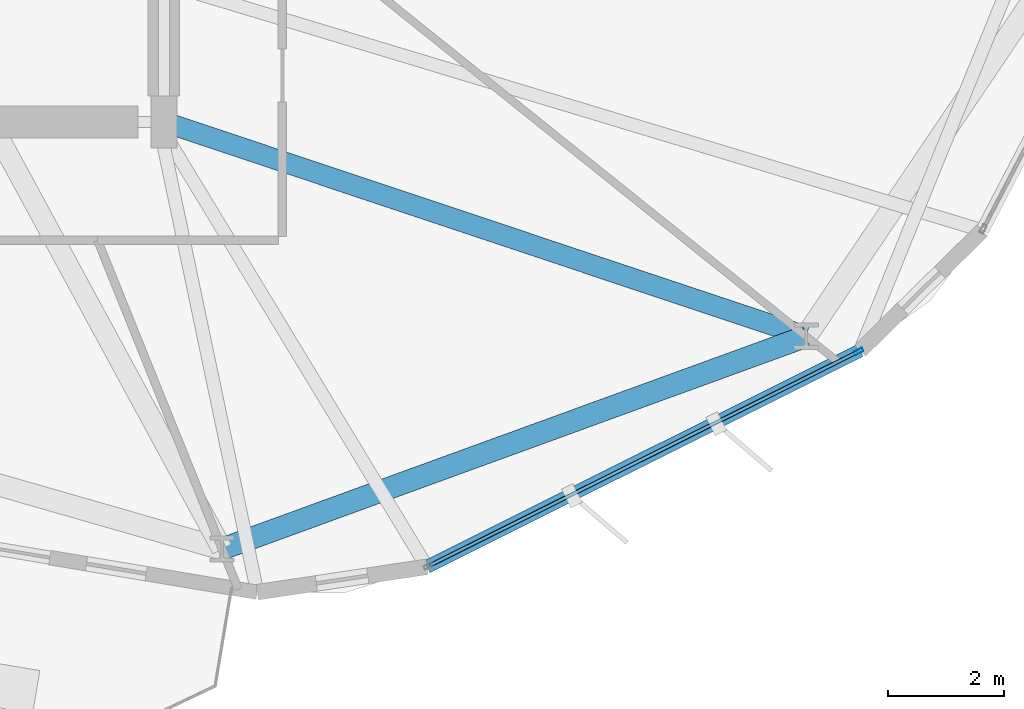
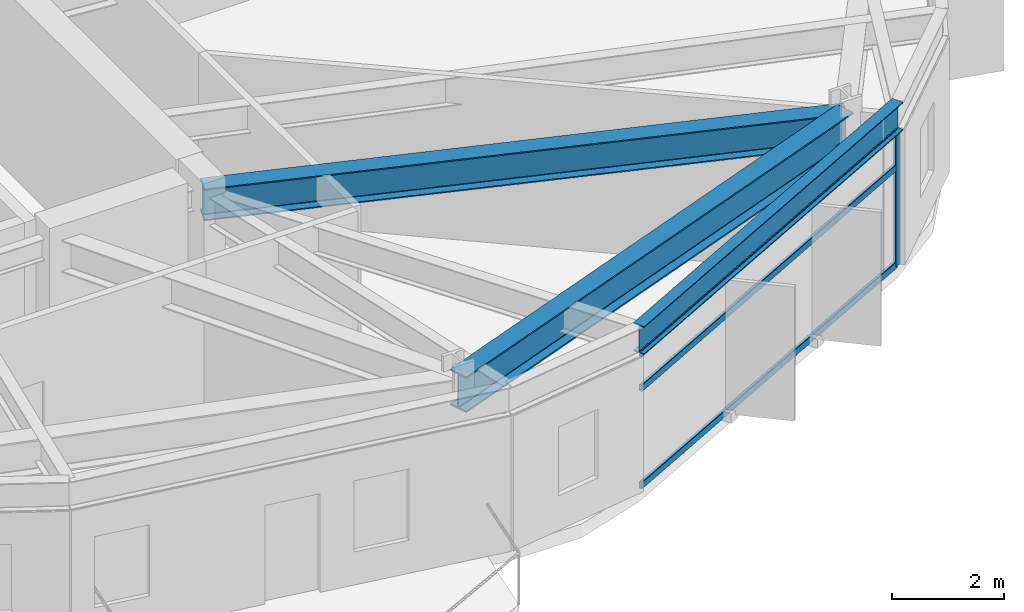
# One storey, part 5 of 22: 4 members, 3 beams, 1 element without a shape of its own.
"""IFC4 building model written with IfcOpenShell, lengths in metres."""

from ifc_helpers import new_model, si_unit, direction, frame, origin, origin_2d, place, context, subcontext, project, spatial, hollow_rectangle, i_section, extrude, material, layer, layer_set, material_profile, profile_set, type_object, element, aggregate, save


model = new_model("IFC4")

# Units and contexts
model_context = context("Model", 3, precision=1e-05, world=origin(), true_north=direction((0.0, 1.0)))
body_context = subcontext(model_context, "Body", "Model", "MODEL_VIEW")
ifc_project = project(units=[si_unit("LENGTHUNIT", "METRE"), si_unit("AREAUNIT", "SQUARE_METRE"), si_unit("VOLUMEUNIT", "CUBIC_METRE"), si_unit("PLANEANGLEUNIT", "RADIAN"), si_unit("MASSUNIT", "GRAM", prefix="KILO")], contexts=[model_context])

# Site, building, storey
site_placement = place(None, origin())
site = spatial("IfcSite", under=ifc_project, at=site_placement, CompositionType="ELEMENT")
building_placement = place(site_placement, origin())
building = spatial("IfcBuilding", under=site, at=building_placement, Name="Soratama Intermodal Tower", CompositionType="ELEMENT")
storey_placement = place(building_placement, frame((0.0, 0.0, 130.300048828125)))
storey = spatial("IfcBuildingStorey", under=building, at=storey_placement, Name="L31", CompositionType="ELEMENT", Elevation=130.300048828125)

# Beams
ifc_material_1 = material(Name="Structural steel ASTM A992 Grade 50", Category="steel")
ifc_material_profile_1 = material_profile(ifc_material_1, i_section(OverallWidth=0.35498046875, OverallDepth=0.695068359375, WebThickness=0.015380859375, FlangeThickness=0.02490234375, FilletRadius=0.01611328125, at=origin_2d()), Name="W27X146")
ifc_profile_set_1 = profile_set([ifc_material_profile_1], Name="Structural steel ASTM A992 Grade 50")
beam_type_1 = type_object("IfcBeamType", Name="BM-RING-W27X146", PredefinedType="BEAM", material=ifc_profile_set_1)
beam_1_placement = place(storey_placement, frame((44.60009765625, 15.0, 3.21240234375), z_axis=(0.948503923169, -0.316765382787, 0.0), x_axis=(0.316765382787, 0.948503923169, 0.0)))
element("IfcBeam", 1, at=beam_1_placement, inside=storey, type_object=beam_type_1, Name="BM-L31-RAD-09", PredefinedType="BEAM", context=body_context, shape_type="SweptSolid", body=[
    extrude(i_section(OverallWidth=0.35498046875, OverallDepth=0.695068359375, WebThickness=0.015380859375, FlangeThickness=0.02490234375, FilletRadius=0.01611328125, at=origin_2d()), origin(), (0.0, 0.0, 1.0), 11.715087890625),
])
ifc_material_2 = material(Name="Structural steel ASTM A992 Grade 50", Category="steel")
ifc_material_profile_2 = material_profile(ifc_material_2, i_section(OverallWidth=0.382080078125, OverallDepth=0.779052734375, WebThickness=0.01806640625, FlangeThickness=0.030029296875, FilletRadius=0.01806640625, at=origin_2d()), Name="W30X191")
ifc_profile_set_2 = profile_set([ifc_material_profile_2], Name="Structural steel ASTM A992 Grade 50")
beam_type_2 = type_object("IfcBeamType", Name="BM-RING-W30X191", PredefinedType="BEAM", material=ifc_profile_set_2)
beam_2_placement = place(storey_placement, frame((45.60693359375, 7.611083984375, 3.17041015625), z_axis=(0.939690636038, 0.342025596326, 0.0), x_axis=(-0.342025596326, 0.939690636038, 0.0)))
element("IfcBeam", 2, at=beam_2_placement, inside=storey, type_object=beam_type_2, Name="BM-L31-RING-08", PredefinedType="BEAM", context=body_context, shape_type="SweptSolid", body=[
    extrude(i_section(OverallWidth=0.382080078125, OverallDepth=0.779052734375, WebThickness=0.01806640625, FlangeThickness=0.030029296875, FilletRadius=0.01806640625, at=origin_2d()), origin(), (0.0, 0.0, 1.0), 10.75341796875),
])
ifc_material_3 = material(Name="Structural steel ASTM A992 Grade 50", Category="steel")
ifc_material_profile_3 = material_profile(ifc_material_3, i_section(OverallWidth=0.22900390625, OverallDepth=0.612060546875, WebThickness=0.011962890625, FlangeThickness=0.01953125, FilletRadius=0.012939453125, at=origin_2d()), Name="W24X84")
ifc_profile_set_3 = profile_set([ifc_material_profile_3], Name="Structural steel ASTM A992 Grade 50")
beam_type_3 = type_object("IfcBeamType", Name="BM-SPN-W24X84", PredefinedType="SPANDREL", material=ifc_profile_set_3)
beam_3_placement = place(storey_placement, frame((49.15087890625, 7.302001953125, 3.25390625), z_axis=(0.894788311795, 0.446490623726, 0.0), x_axis=(-0.446490623726, 0.894788311795, 0.0)))
element("IfcBeam", 3, at=beam_3_placement, inside=storey, type_object=beam_type_3, Name="BS-L31-F08", PredefinedType="SPANDREL", context=body_context, shape_type="SweptSolid", body=[
    extrude(i_section(OverallWidth=0.22900390625, OverallDepth=0.612060546875, WebThickness=0.011962890625, FlangeThickness=0.01953125, FilletRadius=0.012939453125, at=origin_2d()), origin(), (0.0, 0.0, 1.0), 8.37646484375),
])

# Curtain wall, members
ifc_material_4 = material(Name="Double-glazed aluminium curtain wall", Category="aluminium")
ifc_layer = layer(ifc_material_4, 0.159912109375)
ifc_layer_set = layer_set([ifc_layer], Name="Double-glazed aluminium curtain wall")
curtain_wall_type = type_object("IfcCurtainWallType", Name="CW-SYS-3", PredefinedType="NOTDEFINED", material=ifc_layer_set)
curtain_wall_placement = place(storey_placement, origin())
curtain_wall = element("IfcCurtainWall", 4, at=curtain_wall_placement, inside=storey, type_object=curtain_wall_type, Name="L31 Faceted Curtain Wall F08", PredefinedType="NOTDEFINED")
ifc_material_5 = material(Name="Anodised aluminium AA 6063-T6", Category="aluminium")
ifc_material_profile_4 = material_profile(ifc_material_5, hollow_rectangle(XDim=0.070068359375, YDim=0.159912109375, WallThickness=0.0048828125, InnerFilletRadius=0.0048828125, OuterFilletRadius=0.010009765625, at=origin_2d()), Name="CWM160X70X5")
ifc_profile_set_4 = profile_set([ifc_material_profile_4], Name="Anodised aluminium AA 6063-T6")
member_type_1 = type_object("IfcMemberType", Name="MT-CWM-3", PredefinedType="MULLION", material=ifc_profile_set_4)
member_1_placement = place(storey_placement, frame((56.619140625, 11.0283203125, 0.0), z_axis=(0.0, 0.0, 1.0), x_axis=(-0.446516244354, 0.894775526894, 0.0)))
member_1 = element("IfcMember", 5, at=member_1_placement, type_object=member_type_1, Name="CW-3 mullion 2", PredefinedType="MULLION", context=body_context, shape_type="SweptSolid", body=[
    extrude(hollow_rectangle(XDim=0.070068359375, YDim=0.159912109375, WallThickness=0.0048828125, InnerFilletRadius=0.0048828125, OuterFilletRadius=0.010009765625, at=origin_2d()), origin(), (0.0, 0.0, 1.0), 2.93896484375),
])
ifc_material_6 = material(Name="Anodised aluminium AA 6063-T6", Category="aluminium")
ifc_material_profile_5 = material_profile(ifc_material_6, hollow_rectangle(XDim=0.06494140625, YDim=0.14990234375, WallThickness=0.0048828125, InnerFilletRadius=0.0048828125, OuterFilletRadius=0.010009765625, at=origin_2d()), Name="CWT150X65X5")
ifc_profile_set_5 = profile_set([ifc_material_profile_5], Name="Anodised aluminium AA 6063-T6")
member_type_2 = type_object("IfcMemberType", Name="TT-CWT-1", PredefinedType="USERDEFINED", material=ifc_profile_set_5)
member_2_placement = place(storey_placement, frame((49.204833984375, 7.328369140625, 0.030029296875), z_axis=(0.894775851465, 0.446515593943, 0.0), x_axis=(-0.446515593943, 0.894775851465, 0.0)))
member_2 = element("IfcMember", 6, at=member_2_placement, type_object=member_type_2, Name="CW-3 transom 1.1", ObjectType="TRANSOM", PredefinedType="USERDEFINED", context=body_context, shape_type="SweptSolid", body=[
    extrude(hollow_rectangle(XDim=0.06494140625, YDim=0.14990234375, WallThickness=0.0048828125, InnerFilletRadius=0.0048828125, OuterFilletRadius=0.010009765625, at=origin_2d()), origin(), (0.0, 0.0, 1.0), 8.256103515625),
])
member_3_placement = place(storey_placement, frame((49.204833984375, 7.328369140625, 2.14990234375), z_axis=(0.894775851465, 0.446515593943, 0.0), x_axis=(-0.446515593943, 0.894775851465, 0.0)))
member_3 = element("IfcMember", 7, at=member_3_placement, type_object=member_type_2, Name="CW-3 transom 1.2", ObjectType="TRANSOM", PredefinedType="USERDEFINED", context=body_context, shape_type="SweptSolid", body=[
    extrude(hollow_rectangle(XDim=0.06494140625, YDim=0.14990234375, WallThickness=0.0048828125, InnerFilletRadius=0.0048828125, OuterFilletRadius=0.010009765625, at=origin_2d()), origin(), (0.0, 0.0, 1.0), 8.256103515625),
])
member_4_placement = place(storey_placement, frame((49.204833984375, 7.328369140625, 2.908935546875), z_axis=(0.894775851465, 0.446515593943, 0.0), x_axis=(-0.446515593943, 0.894775851465, 0.0)))
member_4 = element("IfcMember", 8, at=member_4_placement, type_object=member_type_2, Name="CW-3 transom 1.3", ObjectType="TRANSOM", PredefinedType="USERDEFINED", context=body_context, shape_type="SweptSolid", body=[
    extrude(hollow_rectangle(XDim=0.06494140625, YDim=0.14990234375, WallThickness=0.0048828125, InnerFilletRadius=0.0048828125, OuterFilletRadius=0.010009765625, at=origin_2d()), origin(), (0.0, 0.0, 1.0), 8.256103515625),
])
aggregate(curtain_wall, [member_1, member_2, member_3, member_4])

save(model, "model.ifc")
